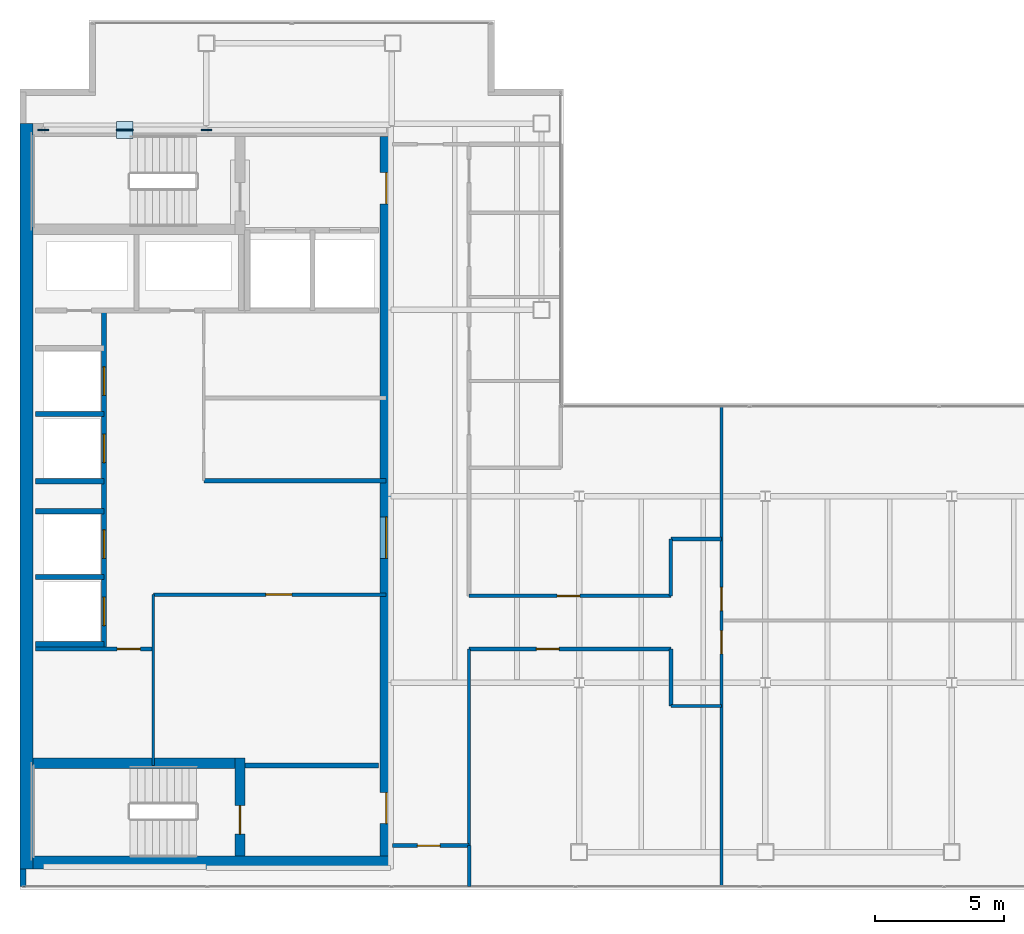
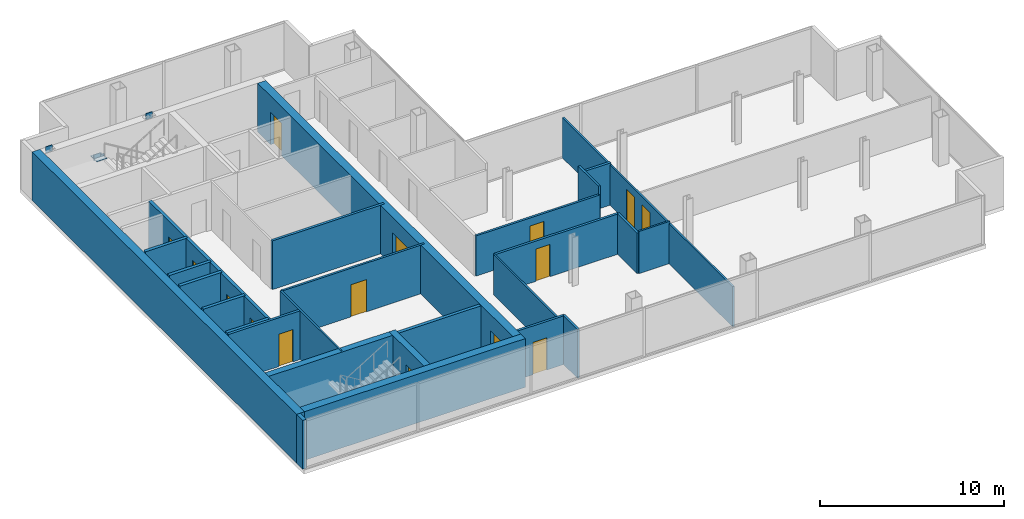
# One storey, part 20 of 23: 27 walls, 15 doors, 5 plates, 15 openings.
"""IFC4 building model written with IfcOpenShell, lengths in metres."""

from ifc_helpers import new_model, si_unit, direction, frame, frame_2d, origin, origin_2d, place, context, subcontext, project, spatial, rectangle, extrude, material, layer, layer_set, type_object, element, fill, save


model = new_model("IFC4")

# Units and contexts
model_context = context("Model", 3, precision=1e-05, world=origin(), true_north=direction((0.0, 1.0)))
body_context = subcontext(model_context, "Body", "Model", "MODEL_VIEW")
ifc_project = project(units=[si_unit("LENGTHUNIT", "METRE"), si_unit("AREAUNIT", "SQUARE_METRE"), si_unit("VOLUMEUNIT", "CUBIC_METRE"), si_unit("PLANEANGLEUNIT", "RADIAN"), si_unit("MASSUNIT", "GRAM", prefix="KILO")], contexts=[model_context])

# Site, building, storey
site_placement = place(None, origin())
site = spatial("IfcSite", under=ifc_project, at=site_placement, CompositionType="ELEMENT")
building_placement = place(site_placement, origin())
building = spatial("IfcBuilding", under=site, at=building_placement, Name="Cobrela Telecom Tower", CompositionType="ELEMENT")
storey_placement = place(building_placement, frame((0.0, 0.0, 283.14990234375)))
storey = spatial("IfcBuildingStorey", under=building, at=storey_placement, Name="L74", CompositionType="ELEMENT", Elevation=283.14990234375)

# Plates
ifc_material_1 = material(Name="Steel ASTM A572 Grade 50", Category="steel")
ifc_layer_1 = layer(ifc_material_1, 0.0419921875)
ifc_layer_set_1 = layer_set([ifc_layer_1], Name="Steel ASTM A572 Grade 50")
plate_type = type_object("IfcPlateType", Name="PLT-NODE-ND1", PredefinedType="USERDEFINED", material=ifc_layer_set_1)
for number, where, z_axis, x_axis, name in (
    (1, (7.199951171875, 35.75, 3.0751953125), (0.0, 0.0, 1.0), (1.0, 0.0, 0.0), "Steel node plate PLT-MBR-EXO-L74-N1-A-1"),
    (2, (4.173828125, 35.75, 1.349609375), (0.0, 0.0, 1.0), (-1.0, 0.0, 0.0), "Steel node plate PLT-MBR-EXO-L74-N1-B1-1"),
    (3, (3.926025390625, 35.75, 1.48046875), (0.0, 0.0, 1.0), (-1.0, 0.0, 0.0), "Steel node plate PLT-MBR-EXO-L74-N1-B2-0"),
    (4, (0.89990234375, 35.75, 3.0751953125), (0.0, 0.0, 1.0), (-1.0, 0.0, 0.0), "Steel node plate PLT-MBR-EXO-L74-N1-B2-1"),
):
    element("IfcPlate", number, at=place(storey_placement, frame(where, z_axis=z_axis, x_axis=x_axis)), inside=storey, type_object=plate_type, Name=name, ObjectType="GUSSET PLATE", PredefinedType="USERDEFINED", context=body_context, shape_type="SweptSolid", body=[
        extrude(rectangle(XDim=0.409912109375, YDim=0.044921875, at=origin_2d()), origin(), (0.0, 0.0, 1.0), 0.409912109375),
    ])
plate_placement = place(storey_placement, frame((4.050048828125, 35.75, 1.59765625), z_axis=(0.0, 0.0, 1.0), x_axis=(1.0, 0.0, 0.0)))
element("IfcPlate", 5, at=plate_placement, inside=storey, type_object=plate_type, Name="L74 Core Flange Steel X-Brace Central X-Crossing Gusset Plate", ObjectType="GUSSET PLATE", PredefinedType="USERDEFINED", context=body_context, shape_type="SweptSolid", body=[
    extrude(rectangle(XDim=0.64990234375, YDim=0.64990234375, at=origin_2d()), origin(), (0.0, 0.0, 1.0), 0.044921875),
])

# Walls
ifc_material_2 = material(Name="Concrete C40/50", Category="concrete")
ifc_layer_2 = layer(ifc_material_2, 0.5)
ifc_layer_set_2 = layer_set([ifc_layer_2], Name="Concrete C40/50")
wall_type_1 = type_object("IfcWallType", Name="WALL-CORE-C40-500", PredefinedType="SHEAR", material=ifc_layer_set_2)
wall_1_placement = place(storey_placement, frame((0.25, 7.199951171875, 0.0), z_axis=(0.0, 0.0, 1.0), x_axis=(0.0, 1.0, 0.0)))
element("IfcWall", 6, at=wall_1_placement, inside=storey, type_object=wall_type_1, Name="L74 West Core Shear Wall", PredefinedType="SHEAR", context=body_context, shape_type="SweptSolid", body=[
    extrude(rectangle(XDim=28.800048828125, YDim=0.5, at=frame_2d((14.39990234375, 0.0))), origin(), (0.0, 0.0, 1.0), 3.239990234375),
])
wall_2_placement = place(storey_placement, frame((0.5, 7.449951171875, 0.0), z_axis=(0.0, 0.0, 1.0), x_axis=(1.0, 0.0, 0.0)))
element("IfcWall", 7, at=wall_2_placement, inside=storey, type_object=wall_type_1, Name="L74 South Core Shear Wall", PredefinedType="SHEAR", context=body_context, shape_type="SweptSolid", body=[
    extrude(rectangle(XDim=13.89990234375, YDim=0.5, at=frame_2d((6.949951171875, 0.0))), origin(), (0.0, 0.0, 1.0), 3.239990234375),
])

# Wall, openings, doors
wall_3_placement = place(storey_placement, frame((14.14990234375, 35.5, 0.0), z_axis=(0.0, 0.0, 1.0), x_axis=(0.0, -1.0, 0.0)))
wall_3 = element("IfcWall", 8, at=wall_3_placement, inside=storey, type_object=wall_type_1, Name="L74 East Core Shear Wall", PredefinedType="SHEAR", context=body_context, shape_type="SweptSolid", body=[
    extrude(rectangle(XDim=27.800048828125, YDim=0.5, at=frame_2d((13.89990234375, 0.0))), origin(), (0.0, 0.0, 1.0), 3.239990234375),
])
opening_1_placement = place(wall_3_placement, frame((1.39990234375, 0.0, 0.0)))
opening_1 = element("IfcOpeningElement", 9, at=opening_1_placement, cuts=wall_3, Name="Opening DR-19", PredefinedType="OPENING", context=body_context, shape_type="SweptSolid", body=[
    extrude(rectangle(XDim=1.199951171875, YDim=2.14990234375, at=frame_2d((0.60009765625, 1.074951171875))), frame((0.0, 0.261962890625, 0.0), z_axis=(0.0, -1.0, 0.0), x_axis=(1.0, 0.0, 0.0)), (0.0, 0.0, 1.0), 0.52392578125),
])
opening_2_placement = place(wall_3_placement, frame((25.35009765625, 0.0, 0.0)))
opening_2 = element("IfcOpeningElement", 10, at=opening_2_placement, cuts=wall_3, Name="Opening DR-19", PredefinedType="OPENING", context=body_context, shape_type="SweptSolid", body=[
    extrude(rectangle(XDim=1.199951171875, YDim=2.14990234375, at=frame_2d((0.60009765625, 1.074951171875))), frame((0.0, 0.261962890625, 0.0), z_axis=(0.0, -1.0, 0.0), x_axis=(1.0, 0.0, 0.0)), (0.0, 0.0, 1.0), 0.52392578125),
])
opening_3_placement = place(wall_3_placement, frame((14.699951171875, 0.0, 0.0)))
opening_3 = element("IfcOpeningElement", 11, at=opening_3_placement, cuts=wall_3, Name="Opening DR-51", PredefinedType="OPENING", context=body_context, shape_type="SweptSolid", body=[
    extrude(rectangle(XDim=1.60009765625, YDim=2.199951171875, at=frame_2d((0.800048828125, 1.10009765625))), frame((0.0, 0.261962890625, 0.0), z_axis=(0.0, -1.0, 0.0), x_axis=(1.0, 0.0, 0.0)), (0.0, 0.0, 1.0), 0.52392578125),
])
ifc_material_3 = material(Name="Steel ASTM A36", Category="steel")
door_type_1 = type_object("IfcDoorType", Name="DOOR-FD60-1200", OperationType="SINGLE_SWING_LEFT", PredefinedType="DOOR", material=ifc_material_3)
door_1_placement = place(opening_1_placement, origin())
door_1 = element("IfcDoor", 12, at=door_1_placement, inside=storey, type_object=door_type_1, Name="L74 Door DR-19", OperationType="SINGLE_SWING_LEFT", OverallHeight=2.14990234375, OverallWidth=1.199951171875, PredefinedType="DOOR", context=body_context, shape_type="SweptSolid", body=[
    extrude(rectangle(XDim=1.199951171875, YDim=2.14990234375, at=frame_2d((0.60009765625, 1.074951171875))), frame((0.0, 0.02490234375, 0.0), z_axis=(0.0, -1.0, 0.0), x_axis=(1.0, 0.0, 0.0)), (0.0, 0.0, 1.0), 0.050048828125),
])
fill(opening_1, door_1)
door_2_placement = place(opening_2_placement, origin())
door_2 = element("IfcDoor", 13, at=door_2_placement, inside=storey, type_object=door_type_1, Name="L74 Door DR-19", OperationType="SINGLE_SWING_RIGHT", OverallHeight=2.14990234375, OverallWidth=1.199951171875, PredefinedType="DOOR", context=body_context, shape_type="SweptSolid", body=[
    extrude(rectangle(XDim=1.199951171875, YDim=2.14990234375, at=frame_2d((0.60009765625, 1.074951171875))), frame((0.0, 0.02490234375, 0.0), z_axis=(0.0, -1.0, 0.0), x_axis=(1.0, 0.0, 0.0)), (0.0, 0.0, 1.0), 0.050048828125),
])
fill(opening_2, door_2)
door_type_2 = type_object("IfcDoorType", Name="DOOR-FD60-1600", OperationType="SINGLE_SWING_LEFT", PredefinedType="DOOR", material=ifc_material_3)
door_3_placement = place(opening_3_placement, origin())
door_3 = element("IfcDoor", 14, at=door_3_placement, inside=storey, type_object=door_type_2, Name="L74 Door DR-51", OperationType="DOUBLE_DOOR_SINGLE_SWING", OverallHeight=2.199951171875, OverallWidth=1.60009765625, PredefinedType="DOOR", context=body_context, shape_type="SweptSolid", body=[
    extrude(rectangle(XDim=1.60009765625, YDim=2.199951171875, at=frame_2d((0.800048828125, 1.10009765625))), frame((0.0, 0.02490234375, 0.0), z_axis=(0.0, -1.0, 0.0), x_axis=(1.0, 0.0, 0.0)), (0.0, 0.0, 1.0), 0.050048828125),
])
fill(opening_3, door_3)

# Walls
ifc_layer_3 = layer(ifc_material_2, 0.239990234375)
ifc_layer_set_3 = layer_set([ifc_layer_3], Name="Concrete C40/50")
wall_type_2 = type_object("IfcWallType", Name="WALL-EXT-300", PredefinedType="STANDARD", material=ifc_layer_set_3)
wall_4_placement = place(storey_placement, frame((0.1201171875, 6.52001953125, 0.0), z_axis=(0.0, 0.0, 1.0), x_axis=(0.0, 1.0, 0.0)))
element("IfcWall", 15, at=wall_4_placement, inside=storey, type_object=wall_type_2, Name="L74 Insulated Facade Wall 01", PredefinedType="STANDARD", context=body_context, shape_type="SweptSolid", body=[
    extrude(rectangle(XDim=0.679931640625, YDim=0.239990234375, at=frame_2d((0.33984375, 0.0))), origin(), (0.0, 0.0, 1.0), 3.239990234375),
])
ifc_material_4 = material(Name="Fire-Rated Gypsum Plasterboard")
ifc_layer_4 = layer(ifc_material_4, 0.110107421875)
ifc_layer_set_4 = layer_set([ifc_layer_4], Name="Fire-Rated Gypsum Plasterboard")
wall_type_3 = type_object("IfcWallType", Name="WALL-PART-110", PredefinedType="PARTITIONING", material=ifc_layer_set_4)
wall_5_placement = place(storey_placement, frame((5.14990234375, 11.199951171875, 0.0), z_axis=(0.0, 0.0, 1.0), x_axis=(0.0, 1.0, 0.0)))
element("IfcWall", 16, at=wall_5_placement, inside=storey, type_object=wall_type_3, Name="L74 Interior Partition CW-RECM-W", PredefinedType="PARTITIONING", context=body_context, shape_type="SweptSolid", body=[
    extrude(rectangle(XDim=6.60009765625, YDim=0.110107421875, at=frame_2d((3.300048828125, 0.0))), origin(), (0.0, 0.0, 1.0), 3.239990234375),
])
wall_6_placement = place(storey_placement, frame((17.35009765625, 8.10009765625, 0.0), z_axis=(0.0, 0.0, 1.0), x_axis=(0.0, 1.0, 0.0)))
element("IfcWall", 17, at=wall_6_placement, inside=storey, type_object=wall_type_3, Name="L74 Interior Partition W-C-E1", PredefinedType="PARTITIONING", context=body_context, shape_type="SweptSolid", body=[
    extrude(rectangle(XDim=7.599853515625, YDim=0.110107421875, at=frame_2d((3.7998046875, 0.0))), origin(), (0.0, 0.0, 1.0), 2.676025390625),
])
wall_7_placement = place(storey_placement, frame((25.14990234375, 13.5, 0.0), z_axis=(0.0, 0.0, 1.0), x_axis=(1.0, 0.0, 0.0)))
element("IfcWall", 18, at=wall_7_placement, inside=storey, type_object=wall_type_3, Name="L74 Interior Partition W-CT-S", PredefinedType="PARTITIONING", context=body_context, shape_type="SweptSolid", body=[
    extrude(rectangle(XDim=1.9501953125, YDim=0.110107421875, at=frame_2d((0.97509765625, 0.0))), origin(), (0.0, 0.0, 1.0), 2.80810546875),
])

# Wall, openings, doors
wall_8_placement = place(storey_placement, frame((27.10009765625, 6.52001953125, 0.0), z_axis=(0.0, 0.0, 1.0), x_axis=(0.0, 1.0, 0.0)))
wall_8 = element("IfcWall", 19, at=wall_8_placement, inside=storey, type_object=wall_type_3, Name="L74 Interior Partition W-C-END", PredefinedType="PARTITIONING", context=body_context, shape_type="SweptSolid", body=[
    extrude(rectangle(XDim=18.56005859375, YDim=0.110107421875, at=frame_2d((9.280029296875, 0.0))), origin(), (0.0, 0.0, 1.0), 2.676025390625),
])
opening_4_placement = place(wall_8_placement, frame((8.989990234375, 0.0, 0.0)))
opening_4 = element("IfcOpeningElement", 20, at=opening_4_placement, cuts=wall_8, Name="Opening DR-41", PredefinedType="OPENING", context=body_context, shape_type="SweptSolid", body=[
    extrude(rectangle(XDim=0.89990234375, YDim=2.14990234375, at=frame_2d((0.449951171875, 1.074951171875))), frame((0.0, 0.06689453125, 0.0), z_axis=(0.0, -1.0, 0.0), x_axis=(1.0, 0.0, 0.0)), (0.0, 0.0, 1.0), 0.134033203125),
])
opening_5_placement = place(wall_8_placement, frame((10.659912109375, 0.0, 0.0)))
opening_5 = element("IfcOpeningElement", 21, at=opening_5_placement, cuts=wall_8, Name="Opening DR-41", PredefinedType="OPENING", context=body_context, shape_type="SweptSolid", body=[
    extrude(rectangle(XDim=0.89990234375, YDim=2.14990234375, at=frame_2d((0.449951171875, 1.074951171875))), frame((0.0, 0.06689453125, 0.0), z_axis=(0.0, -1.0, 0.0), x_axis=(1.0, 0.0, 0.0)), (0.0, 0.0, 1.0), 0.134033203125),
])
ifc_material_5 = material(Name="Solid Engineered Oak Timber", Category="wood")
door_type_3 = type_object("IfcDoorType", Name="DOOR-INT-900", OperationType="SINGLE_SWING_LEFT", PredefinedType="DOOR", material=ifc_material_5)
door_4_placement = place(opening_4_placement, origin())
door_4 = element("IfcDoor", 22, at=door_4_placement, inside=storey, type_object=door_type_3, Name="L74 Door DR-41", OperationType="SINGLE_SWING_LEFT", OverallHeight=2.14990234375, OverallWidth=0.89990234375, PredefinedType="DOOR", context=body_context, shape_type="SweptSolid", body=[
    extrude(rectangle(XDim=0.89990234375, YDim=2.14990234375, at=frame_2d((0.449951171875, 1.074951171875))), frame((0.0, 0.02490234375, 0.0), z_axis=(0.0, -1.0, 0.0), x_axis=(1.0, 0.0, 0.0)), (0.0, 0.0, 1.0), 0.050048828125),
])
fill(opening_4, door_4)
door_5_placement = place(opening_5_placement, origin())
door_5 = element("IfcDoor", 23, at=door_5_placement, inside=storey, type_object=door_type_3, Name="L74 Door DR-41", OperationType="SINGLE_SWING_RIGHT", OverallHeight=2.14990234375, OverallWidth=0.89990234375, PredefinedType="DOOR", context=body_context, shape_type="SweptSolid", body=[
    extrude(rectangle(XDim=0.89990234375, YDim=2.14990234375, at=frame_2d((0.449951171875, 1.074951171875))), frame((0.0, 0.02490234375, 0.0), z_axis=(0.0, -1.0, 0.0), x_axis=(1.0, 0.0, 0.0)), (0.0, 0.0, 1.0), 0.050048828125),
])
fill(opening_5, door_5)

# Wall, opening, door
ifc_layer_5 = layer(ifc_material_4, 0.135009765625)
ifc_layer_set_5 = layer_set([ifc_layer_5], Name="Fire-Rated Gypsum Plasterboard")
wall_type_4 = type_object("IfcWallType", Name="WALL-PART-135", PredefinedType="PARTITIONING", material=ifc_layer_set_5)
wall_9_placement = place(storey_placement, frame((5.14990234375, 17.800048828125, 0.0), z_axis=(0.0, 0.0, 1.0), x_axis=(1.0, 0.0, 0.0)))
wall_9 = element("IfcWall", 24, at=wall_9_placement, inside=storey, type_object=wall_type_4, Name="L74 Interior Partition CW-RECM-N", PredefinedType="PARTITIONING", context=body_context, shape_type="SweptSolid", body=[
    extrude(rectangle(XDim=9.0, YDim=0.135009765625, at=frame_2d((4.5, 0.0))), origin(), (0.0, 0.0, 1.0), 3.239990234375),
])
opening_6_placement = place(wall_9_placement, frame((4.35009765625, 0.0, 0.0)))
opening_6 = element("IfcOpeningElement", 25, at=opening_6_placement, cuts=wall_9, Name="Opening DR-31", PredefinedType="OPENING", context=body_context, shape_type="SweptSolid", body=[
    extrude(rectangle(XDim=1.0, YDim=2.14990234375, at=frame_2d((0.5, 1.074951171875))), frame((0.0, 0.07958984375, 0.0), z_axis=(0.0, -1.0, 0.0), x_axis=(1.0, 0.0, 0.0)), (0.0, 0.0, 1.0), 0.158935546875),
])
door_type_4 = type_object("IfcDoorType", Name="DOOR-INT-1000", OperationType="SINGLE_SWING_LEFT", PredefinedType="DOOR", material=ifc_material_5)
door_6_placement = place(opening_6_placement, origin())
door_6 = element("IfcDoor", 26, at=door_6_placement, inside=storey, type_object=door_type_4, Name="L74 Door DR-31", OperationType="SINGLE_SWING_LEFT", OverallHeight=2.14990234375, OverallWidth=1.0, PredefinedType="DOOR", context=body_context, shape_type="SweptSolid", body=[
    extrude(rectangle(XDim=1.0, YDim=2.14990234375, at=frame_2d((0.5, 1.074951171875))), frame((0.0, 0.02490234375, 0.0), z_axis=(0.0, -1.0, 0.0), x_axis=(1.0, 0.0, 0.0)), (0.0, 0.0, 1.0), 0.050048828125),
])
fill(opening_6, door_6)

wall_10_placement = place(storey_placement, frame((17.35009765625, 17.75, 0.0), z_axis=(0.0, 0.0, 1.0), x_axis=(1.0, 0.0, 0.0)))
wall_10 = element("IfcWall", 27, at=wall_10_placement, inside=storey, type_object=wall_type_4, Name="L74 Interior Partition W-C-HN", PredefinedType="PARTITIONING", context=body_context, shape_type="SweptSolid", body=[
    extrude(rectangle(XDim=7.7998046875, YDim=0.135009765625, at=frame_2d((3.89990234375, 0.0))), origin(), (0.0, 0.0, 1.0), 2.676025390625),
])
opening_7_placement = place(wall_10_placement, frame((3.39990234375, 0.0, 0.0)))
opening_7 = element("IfcOpeningElement", 28, at=opening_7_placement, cuts=wall_10, Name="Opening DR-39", PredefinedType="OPENING", context=body_context, shape_type="SweptSolid", body=[
    extrude(rectangle(XDim=0.8798828125, YDim=2.14990234375, at=frame_2d((0.43994140625, 1.074951171875))), frame((0.0, 0.07958984375, 0.0), z_axis=(0.0, -1.0, 0.0), x_axis=(1.0, 0.0, 0.0)), (0.0, 0.0, 1.0), 0.158935546875),
])
door_type_5 = type_object("IfcDoorType", Name="DOOR-INT-880", OperationType="SINGLE_SWING_LEFT", PredefinedType="DOOR", material=ifc_material_5)
door_7_placement = place(opening_7_placement, origin())
door_7 = element("IfcDoor", 29, at=door_7_placement, inside=storey, type_object=door_type_5, Name="L74 Door DR-39", OperationType="SINGLE_SWING_LEFT", OverallHeight=2.14990234375, OverallWidth=0.8798828125, PredefinedType="DOOR", context=body_context, shape_type="SweptSolid", body=[
    extrude(rectangle(XDim=0.8798828125, YDim=2.14990234375, at=frame_2d((0.43994140625, 1.074951171875))), frame((0.0, 0.02490234375, 0.0), z_axis=(0.0, -1.0, 0.0), x_axis=(1.0, 0.0, 0.0)), (0.0, 0.0, 1.0), 0.050048828125),
])
fill(opening_7, door_7)

# Walls
wall_11_placement = place(storey_placement, frame((25.14990234375, 17.75, 0.0), z_axis=(0.0, 0.0, 1.0), x_axis=(0.0, 1.0, 0.0)))
element("IfcWall", 30, at=wall_11_placement, inside=storey, type_object=wall_type_4, Name="L74 Interior Partition W-CT-JW2", PredefinedType="PARTITIONING", context=body_context, shape_type="SweptSolid", body=[
    extrude(rectangle(XDim=2.199951171875, YDim=0.135009765625, at=frame_2d((1.10009765625, 0.0))), origin(), (0.0, 0.0, 1.0), 3.239990234375),
])
wall_12_placement = place(storey_placement, frame((17.35009765625, 6.52001953125, 0.0), z_axis=(0.0, 0.0, 1.0), x_axis=(0.0, 1.0, 0.0)))
element("IfcWall", 31, at=wall_12_placement, inside=storey, type_object=wall_type_4, Name="L74 Interior Partition W-SW-E", PredefinedType="PARTITIONING", context=body_context, shape_type="SweptSolid", body=[
    extrude(rectangle(XDim=1.580078125, YDim=0.135009765625, at=frame_2d((0.7900390625, 0.0))), origin(), (0.0, 0.0, 1.0), 3.239990234375),
])

# Wall, opening, door
ifc_layer_6 = layer(ifc_material_4, 0.14990234375)
ifc_layer_set_6 = layer_set([ifc_layer_6], Name="Fire-Rated Gypsum Plasterboard")
wall_type_5 = type_object("IfcWallType", Name="WALL-PART-150", PredefinedType="PARTITIONING", material=ifc_layer_set_6)
wall_13_placement = place(storey_placement, frame((14.39990234375, 8.10009765625, 0.0), z_axis=(0.0, 0.0, 1.0), x_axis=(1.0, 0.0, 0.0)))
wall_13 = element("IfcWall", 32, at=wall_13_placement, inside=storey, type_object=wall_type_5, Name="L74 Interior Partition W-C-S0", PredefinedType="PARTITIONING", context=body_context, shape_type="SweptSolid", body=[
    extrude(rectangle(XDim=2.9501953125, YDim=0.14990234375, at=frame_2d((1.47509765625, 0.0))), origin(), (0.0, 0.0, 1.0), 3.239990234375),
])
opening_8_placement = place(wall_13_placement, frame((0.949951171875, 0.0, 0.0)))
opening_8 = element("IfcOpeningElement", 33, at=opening_8_placement, cuts=wall_13, Name="Opening DR-39", PredefinedType="OPENING", context=body_context, shape_type="SweptSolid", body=[
    extrude(rectangle(XDim=0.8798828125, YDim=2.14990234375, at=frame_2d((0.43994140625, 1.074951171875))), frame((0.0, 0.0869140625, 0.0), z_axis=(0.0, -1.0, 0.0), x_axis=(1.0, 0.0, 0.0)), (0.0, 0.0, 1.0), 0.173828125),
])
door_8_placement = place(opening_8_placement, origin())
door_8 = element("IfcDoor", 34, at=door_8_placement, inside=storey, type_object=door_type_5, Name="L74 Door DR-39", OperationType="SINGLE_SWING_RIGHT", OverallHeight=2.14990234375, OverallWidth=0.8798828125, PredefinedType="DOOR", context=body_context, shape_type="SweptSolid", body=[
    extrude(rectangle(XDim=0.8798828125, YDim=2.14990234375, at=frame_2d((0.43994140625, 1.074951171875))), frame((0.0, 0.02490234375, 0.0), z_axis=(0.0, -1.0, 0.0), x_axis=(1.0, 0.0, 0.0)), (0.0, 0.0, 1.0), 0.050048828125),
])
fill(opening_8, door_8)

wall_14_placement = place(storey_placement, frame((17.35009765625, 15.699951171875, 0.0), z_axis=(0.0, 0.0, 1.0), x_axis=(1.0, 0.0, 0.0)))
wall_14 = element("IfcWall", 35, at=wall_14_placement, inside=storey, type_object=wall_type_5, Name="L74 Interior Partition W-C-HS", PredefinedType="PARTITIONING", context=body_context, shape_type="SweptSolid", body=[
    extrude(rectangle(XDim=7.7998046875, YDim=0.14990234375, at=frame_2d((3.89990234375, 0.0))), origin(), (0.0, 0.0, 1.0), 2.676025390625),
])
opening_9_placement = place(wall_14_placement, frame((2.60009765625, 0.0, 0.0)))
opening_9 = element("IfcOpeningElement", 36, at=opening_9_placement, cuts=wall_14, Name="Opening DR-39", PredefinedType="OPENING", context=body_context, shape_type="SweptSolid", body=[
    extrude(rectangle(XDim=0.8798828125, YDim=2.14990234375, at=frame_2d((0.43994140625, 1.074951171875))), frame((0.0, 0.0869140625, 0.0), z_axis=(0.0, -1.0, 0.0), x_axis=(1.0, 0.0, 0.0)), (0.0, 0.0, 1.0), 0.173828125),
])
door_9_placement = place(opening_9_placement, origin())
door_9 = element("IfcDoor", 37, at=door_9_placement, inside=storey, type_object=door_type_5, Name="L74 Door DR-39", OperationType="SINGLE_SWING_LEFT", OverallHeight=2.14990234375, OverallWidth=0.8798828125, PredefinedType="DOOR", context=body_context, shape_type="SweptSolid", body=[
    extrude(rectangle(XDim=0.8798828125, YDim=2.14990234375, at=frame_2d((0.43994140625, 1.074951171875))), frame((0.0, 0.02490234375, 0.0), z_axis=(0.0, -1.0, 0.0), x_axis=(1.0, 0.0, 0.0)), (0.0, 0.0, 1.0), 0.050048828125),
])
fill(opening_9, door_9)

# Walls
wall_15_placement = place(storey_placement, frame((25.14990234375, 13.5, 0.0), z_axis=(0.0, 0.0, 1.0), x_axis=(0.0, 1.0, 0.0)))
element("IfcWall", 38, at=wall_15_placement, inside=storey, type_object=wall_type_5, Name="L74 Interior Partition W-CT-JW1", PredefinedType="PARTITIONING", context=body_context, shape_type="SweptSolid", body=[
    extrude(rectangle(XDim=2.199951171875, YDim=0.14990234375, at=frame_2d((1.10009765625, 0.0))), origin(), (0.0, 0.0, 1.0), 2.676025390625),
])
ifc_layer_7 = layer(ifc_material_4, 0.159912109375)
ifc_layer_set_7 = layer_set([ifc_layer_7], Name="Fire-Rated Gypsum Plasterboard")
wall_type_6 = type_object("IfcWallType", Name="WALL-PART-160", PredefinedType="PARTITIONING", material=ifc_layer_set_7)
wall_16_placement = place(storey_placement, frame((7.10009765625, 22.199951171875, 0.0), z_axis=(0.0, 0.0, 1.0), x_axis=(1.0, 0.0, 0.0)))
element("IfcWall", 39, at=wall_16_placement, inside=storey, type_object=wall_type_6, Name="L74 Interior Partition CW-RECL-S", PredefinedType="PARTITIONING", context=body_context, shape_type="SweptSolid", body=[
    extrude(rectangle(XDim=7.0498046875, YDim=0.159912109375, at=frame_2d((3.52490234375, 0.0))), origin(), (0.0, 0.0, 1.0), 3.239990234375),
])

# Wall, opening, door
wall_17_placement = place(storey_placement, frame((0.60009765625, 15.699951171875, 0.0), z_axis=(0.0, 0.0, 1.0), x_axis=(1.0, 0.0, 0.0)))
wall_17 = element("IfcWall", 40, at=wall_17_placement, inside=storey, type_object=wall_type_6, Name="L74 Interior Partition CW-FLEX-N", PredefinedType="PARTITIONING", context=body_context, shape_type="SweptSolid", body=[
    extrude(rectangle(XDim=4.5498046875, YDim=0.159912109375, at=frame_2d((2.27490234375, 0.0))), origin(), (0.0, 0.0, 1.0), 3.239990234375),
])
opening_10_placement = place(wall_17_placement, frame((3.14990234375, 0.0, 0.0)))
opening_10 = element("IfcOpeningElement", 41, at=opening_10_placement, cuts=wall_17, Name="Opening DR-41", PredefinedType="OPENING", context=body_context, shape_type="SweptSolid", body=[
    extrude(rectangle(XDim=0.89990234375, YDim=2.14990234375, at=frame_2d((0.449951171875, 1.074951171875))), frame((0.0, 0.091796875, 0.0), z_axis=(0.0, -1.0, 0.0), x_axis=(1.0, 0.0, 0.0)), (0.0, 0.0, 1.0), 0.183837890625),
])
door_10_placement = place(opening_10_placement, origin())
door_10 = element("IfcDoor", 42, at=door_10_placement, inside=storey, type_object=door_type_3, Name="L74 Door DR-41", OperationType="SINGLE_SWING_LEFT", OverallHeight=2.14990234375, OverallWidth=0.89990234375, PredefinedType="DOOR", context=body_context, shape_type="SweptSolid", body=[
    extrude(rectangle(XDim=0.89990234375, YDim=2.14990234375, at=frame_2d((0.449951171875, 1.074951171875))), frame((0.0, 0.02490234375, 0.0), z_axis=(0.0, -1.0, 0.0), x_axis=(1.0, 0.0, 0.0)), (0.0, 0.0, 1.0), 0.050048828125),
])
fill(opening_10, door_10)

# Walls
wall_18_placement = place(storey_placement, frame((25.14990234375, 19.949951171875, 0.0), z_axis=(0.0, 0.0, 1.0), x_axis=(1.0, 0.0, 0.0)))
element("IfcWall", 43, at=wall_18_placement, inside=storey, type_object=wall_type_6, Name="L74 Interior Partition W-CT-N", PredefinedType="PARTITIONING", context=body_context, shape_type="SweptSolid", body=[
    extrude(rectangle(XDim=1.9501953125, YDim=0.159912109375, at=frame_2d((0.97509765625, 0.0))), origin(), (0.0, 0.0, 1.0), 2.80810546875),
])
ifc_layer_8 = layer(ifc_material_4, 0.199951171875)
ifc_layer_set_8 = layer_set([ifc_layer_8], Name="Fire-Rated Gypsum Plasterboard")
wall_type_7 = type_object("IfcWallType", Name="WALL-SHAFT-200", PredefinedType="PARTITIONING", material=ifc_layer_set_8)
wall_19_placement = place(storey_placement, frame((8.699951171875, 11.199951171875, 0.0), z_axis=(0.0, 0.0, 1.0), x_axis=(1.0, 0.0, 0.0)))
element("IfcWall", 44, at=wall_19_placement, inside=storey, type_object=wall_type_7, Name="L74 Shaft Enclosure CW-ST2L-N", PredefinedType="PARTITIONING", context=body_context, shape_type="SweptSolid", body=[
    extrude(rectangle(XDim=5.150146484375, YDim=0.199951171875, at=frame_2d((2.5751953125, 0.0))), origin(), (0.0, 0.0, 1.0), 3.239990234375),
])

# Wall, openings, doors
wall_20_placement = place(storey_placement, frame((3.25, 15.699951171875, 0.0), z_axis=(0.0, 0.0, 1.0), x_axis=(0.0, 1.0, 0.0)))
wall_20 = element("IfcWall", 45, at=wall_20_placement, inside=storey, type_object=wall_type_7, Name="L74 Shaft Enclosure CW-PLH-E", PredefinedType="PARTITIONING", context=body_context, shape_type="SweptSolid", body=[
    extrude(rectangle(XDim=13.080078125, YDim=0.199951171875, at=frame_2d((6.5400390625, 0.0))), origin(), (0.0, 0.0, 1.0), 3.239990234375),
])
opening_11_placement = place(wall_20_placement, frame((0.89990234375, 0.0, 0.0)))
opening_11 = element("IfcOpeningElement", 46, at=opening_11_placement, cuts=wall_20, Name="Opening LD-1", PredefinedType="OPENING", context=body_context, shape_type="SweptSolid", body=[
    extrude(rectangle(XDim=1.10009765625, YDim=2.199951171875, at=frame_2d((0.550048828125, 1.10009765625))), frame((0.0, 0.11181640625, 0.0), z_axis=(0.0, -1.0, 0.0), x_axis=(1.0, 0.0, 0.0)), (0.0, 0.0, 1.0), 0.223876953125),
])
opening_12_placement = place(wall_20_placement, frame((3.5, 0.0, 0.0)))
opening_12 = element("IfcOpeningElement", 47, at=opening_12_placement, cuts=wall_20, Name="Opening LD-1", PredefinedType="OPENING", context=body_context, shape_type="SweptSolid", body=[
    extrude(rectangle(XDim=1.10009765625, YDim=2.199951171875, at=frame_2d((0.550048828125, 1.10009765625))), frame((0.0, 0.11181640625, 0.0), z_axis=(0.0, -1.0, 0.0), x_axis=(1.0, 0.0, 0.0)), (0.0, 0.0, 1.0), 0.223876953125),
])
opening_13_placement = place(wall_20_placement, frame((7.199951171875, 0.0, 0.0)))
opening_13 = element("IfcOpeningElement", 48, at=opening_13_placement, cuts=wall_20, Name="Opening LD-1", PredefinedType="OPENING", context=body_context, shape_type="SweptSolid", body=[
    extrude(rectangle(XDim=1.10009765625, YDim=2.199951171875, at=frame_2d((0.550048828125, 1.10009765625))), frame((0.0, 0.11181640625, 0.0), z_axis=(0.0, -1.0, 0.0), x_axis=(1.0, 0.0, 0.0)), (0.0, 0.0, 1.0), 0.223876953125),
])
opening_14_placement = place(wall_20_placement, frame((9.800048828125, 0.0, 0.0)))
opening_14 = element("IfcOpeningElement", 49, at=opening_14_placement, cuts=wall_20, Name="Opening LD-1", PredefinedType="OPENING", context=body_context, shape_type="SweptSolid", body=[
    extrude(rectangle(XDim=1.10009765625, YDim=2.199951171875, at=frame_2d((0.550048828125, 1.10009765625))), frame((0.0, 0.11181640625, 0.0), z_axis=(0.0, -1.0, 0.0), x_axis=(1.0, 0.0, 0.0)), (0.0, 0.0, 1.0), 0.223876953125),
])
door_type_6 = type_object("IfcDoorType", Name="DOOR-LD-PL", OperationType="SINGLE_SWING_LEFT", PredefinedType="DOOR", material=ifc_material_3)
door_11_placement = place(opening_11_placement, origin())
door_11 = element("IfcDoor", 50, at=door_11_placement, inside=storey, type_object=door_type_6, Name="L74 Lift Landing Door LD-1", OperationType="DOUBLE_DOOR_SLIDING", OverallHeight=2.199951171875, OverallWidth=1.10009765625, PredefinedType="DOOR", context=body_context, shape_type="SweptSolid", body=[
    extrude(rectangle(XDim=1.10009765625, YDim=2.199951171875, at=frame_2d((0.550048828125, 1.10009765625))), frame((0.0, 0.02490234375, 0.0), z_axis=(0.0, -1.0, 0.0), x_axis=(1.0, 0.0, 0.0)), (0.0, 0.0, 1.0), 0.050048828125),
])
fill(opening_11, door_11)
door_12_placement = place(opening_12_placement, origin())
door_12 = element("IfcDoor", 51, at=door_12_placement, inside=storey, type_object=door_type_6, Name="L74 Lift Landing Door LD-1", OperationType="DOUBLE_DOOR_SLIDING", OverallHeight=2.199951171875, OverallWidth=1.10009765625, PredefinedType="DOOR", context=body_context, shape_type="SweptSolid", body=[
    extrude(rectangle(XDim=1.10009765625, YDim=2.199951171875, at=frame_2d((0.550048828125, 1.10009765625))), frame((0.0, 0.02490234375, 0.0), z_axis=(0.0, -1.0, 0.0), x_axis=(1.0, 0.0, 0.0)), (0.0, 0.0, 1.0), 0.050048828125),
])
fill(opening_12, door_12)
door_13_placement = place(opening_13_placement, origin())
door_13 = element("IfcDoor", 52, at=door_13_placement, inside=storey, type_object=door_type_6, Name="L74 Lift Landing Door LD-1", OperationType="DOUBLE_DOOR_SLIDING", OverallHeight=2.199951171875, OverallWidth=1.10009765625, PredefinedType="DOOR", context=body_context, shape_type="SweptSolid", body=[
    extrude(rectangle(XDim=1.10009765625, YDim=2.199951171875, at=frame_2d((0.550048828125, 1.10009765625))), frame((0.0, 0.02490234375, 0.0), z_axis=(0.0, -1.0, 0.0), x_axis=(1.0, 0.0, 0.0)), (0.0, 0.0, 1.0), 0.050048828125),
])
fill(opening_13, door_13)
door_14_placement = place(opening_14_placement, origin())
door_14 = element("IfcDoor", 53, at=door_14_placement, inside=storey, type_object=door_type_6, Name="L74 Lift Landing Door LD-1", OperationType="DOUBLE_DOOR_SLIDING", OverallHeight=2.199951171875, OverallWidth=1.10009765625, PredefinedType="DOOR", context=body_context, shape_type="SweptSolid", body=[
    extrude(rectangle(XDim=1.10009765625, YDim=2.199951171875, at=frame_2d((0.550048828125, 1.10009765625))), frame((0.0, 0.02490234375, 0.0), z_axis=(0.0, -1.0, 0.0), x_axis=(1.0, 0.0, 0.0)), (0.0, 0.0, 1.0), 0.050048828125),
])
fill(opening_14, door_14)

# Walls
for number, where, z_axis, x_axis, name in (
    (54, (0.60009765625, 15.8798828125, 0.0), (0.0, 0.0, 1.0), (1.0, 0.0, 0.0), "L74 Shaft Enclosure CW-PLH-D9"),
    (55, (0.60009765625, 18.47998046875, 0.0), (0.0, 0.0, 1.0), (1.0, 0.0, 0.0), "L74 Shaft Enclosure CW-PLH-D10"),
    (56, (0.60009765625, 22.179931640625, 0.0), (0.0, 0.0, 1.0), (1.0, 0.0, 0.0), "L74 Shaft Enclosure CW-PLH-D11"),
    (57, (0.60009765625, 24.780029296875, 0.0), (0.0, 0.0, 1.0), (1.0, 0.0, 0.0), "L74 Shaft Enclosure CW-PLH-D12"),
    (58, (0.60009765625, 21.02001953125, 0.0), (0.0, 0.0, 1.0), (1.0, 0.0, 0.0), "L74 Shaft Enclosure CW-PLH-MID"),
):
    element("IfcWall", number, at=place(storey_placement, frame(where, z_axis=z_axis, x_axis=x_axis)), inside=storey, type_object=wall_type_7, Name=name, PredefinedType="PARTITIONING", context=body_context, shape_type="SweptSolid", body=[
        extrude(rectangle(XDim=2.64990234375, YDim=0.199951171875, at=frame_2d((1.324951171875, 0.0))), origin(), (0.0, 0.0, 1.0), 3.239990234375),
    ])
ifc_layer_9 = layer(ifc_material_2, 0.39990234375)
ifc_layer_set_9 = layer_set([ifc_layer_9], Name="Concrete C40/50")
wall_type_8 = type_object("IfcWallType", Name="WALL-SHAFT-C40-400", PredefinedType="SHEAR", material=ifc_layer_set_9)
wall_21_placement = place(storey_placement, frame((0.5, 11.280029296875, 0.0), z_axis=(0.0, 0.0, 1.0), x_axis=(1.0, 0.0, 0.0)))
element("IfcWall", 59, at=wall_21_placement, inside=storey, type_object=wall_type_8, Name="L74 South Stair Shear Wall", PredefinedType="SHEAR", context=body_context, shape_type="SweptSolid", body=[
    extrude(rectangle(XDim=7.800048828125, YDim=0.39990234375, at=frame_2d((3.89990234375, 0.0))), origin(), (0.0, 0.0, 1.0), 3.239990234375),
])

# Wall, opening, door
wall_22_placement = place(storey_placement, frame((8.5, 7.699951171875, 0.0), z_axis=(0.0, 0.0, 1.0), x_axis=(0.0, 1.0, 0.0)))
wall_22 = element("IfcWall", 60, at=wall_22_placement, inside=storey, type_object=wall_type_8, Name="L74 South Stair Lobby Shear Wall", PredefinedType="SHEAR", context=body_context, shape_type="SweptSolid", body=[
    extrude(rectangle(XDim=3.780029296875, YDim=0.39990234375, at=frame_2d((1.89013671875, 0.0))), origin(), (0.0, 0.0, 1.0), 3.239990234375),
])
opening_15_placement = place(wall_22_placement, frame((0.85009765625, 0.0, 0.0)))
opening_15 = element("IfcOpeningElement", 61, at=opening_15_placement, cuts=wall_22, Name="Opening FD-90", PredefinedType="OPENING", context=body_context, shape_type="SweptSolid", body=[
    extrude(rectangle(XDim=1.10009765625, YDim=2.14990234375, at=frame_2d((0.550048828125, 1.074951171875))), frame((0.0, 0.2119140625, 0.0), z_axis=(0.0, -1.0, 0.0), x_axis=(1.0, 0.0, 0.0)), (0.0, 0.0, 1.0), 0.423828125),
])
door_type_7 = type_object("IfcDoorType", Name="DOOR-FD90-1100", OperationType="SINGLE_SWING_LEFT", PredefinedType="DOOR", material=ifc_material_3)
door_15_placement = place(opening_15_placement, origin())
door_15 = element("IfcDoor", 62, at=door_15_placement, inside=storey, type_object=door_type_7, Name="L74 Door FD-90", OperationType="SINGLE_SWING_LEFT", OverallHeight=2.14990234375, OverallWidth=1.10009765625, PredefinedType="DOOR", context=body_context, shape_type="SweptSolid", body=[
    extrude(rectangle(XDim=1.10009765625, YDim=2.14990234375, at=frame_2d((0.550048828125, 1.074951171875))), frame((0.0, 0.02490234375, 0.0), z_axis=(0.0, -1.0, 0.0), x_axis=(1.0, 0.0, 0.0)), (0.0, 0.0, 1.0), 0.050048828125),
])
fill(opening_15, door_15)

save(model, "model.ifc")
